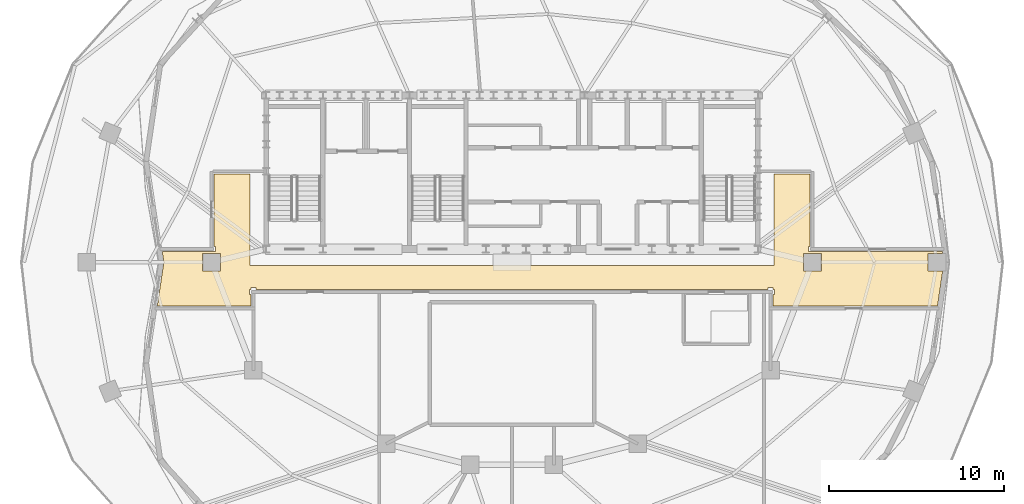
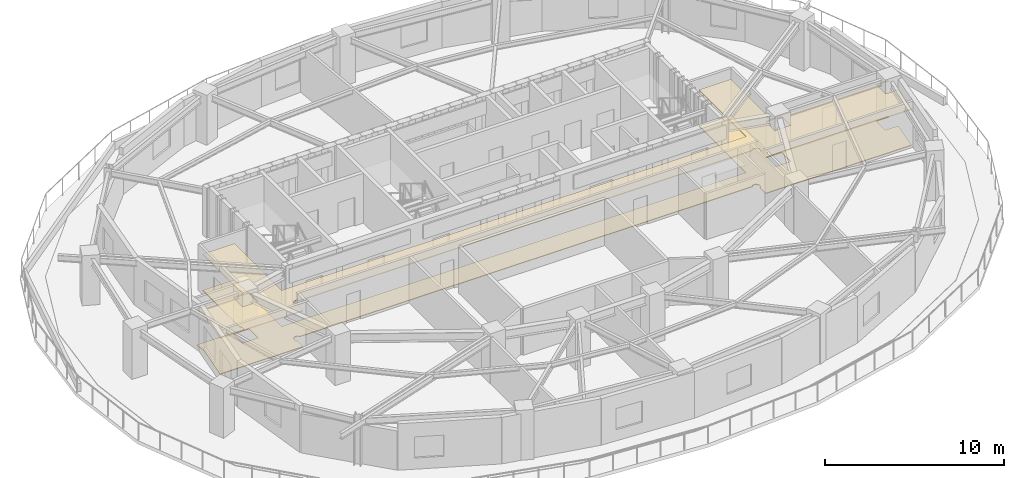
# One storey, part 9 of 10: 2 coverings.
"""IFC4 building model written with IfcOpenShell, lengths in metres."""

import ifcopenshell
import ifcopenshell.guid

model = None  # the IFC model being written
_history = None  # IfcOwnerHistory: only IFC2X3 demands one
_inside = {}  # id of a spatial element -> (the spatial element, [elements in it])
_under = {}  # id of a project, library or spatial element -> (it, [spatial elements below it])
_declared = {}  # id of a project -> (the project, [libraries it declares])
_typed = {}  # id of a type object -> (the type object, [elements of that type])
_made_of = {}  # id of a material, layer set ... -> (it, [elements and type objects made of it])


def new_model(schema):
    """Start an empty IFC model of exactly this schema.

    Asked for "IFC4X3", IfcOpenShell would pick the latest addendum, in which some entities
    have other attributes; the version numbers below select the first issue.
    IFC2X3 requires an IfcOwnerHistory on every rooted entity: one is made here for all.
    """
    global model, _history
    if schema == "IFC4X3":
        model = ifcopenshell.file(schema_version=(4, 3, 0, 0))
    else:
        model = ifcopenshell.file(schema=schema)
    _inside.clear()
    _under.clear()
    _declared.clear()
    _typed.clear()
    _made_of.clear()
    _history = None
    if model.schema == "IFC2X3":
        org = make("IfcOrganization", Name="unknown")
        user = make(
            "IfcPersonAndOrganization",
            ThePerson=make("IfcPerson", FamilyName="unknown"),
            TheOrganization=org,
        )
        app = make(
            "IfcApplication",
            ApplicationDeveloper=org,
            Version="unknown",
            ApplicationFullName="unknown",
            ApplicationIdentifier="unknown",
        )
        _history = make(
            "IfcOwnerHistory",
            OwningUser=user,
            OwningApplication=app,
            ChangeAction="ADDED",
            CreationDate=0,
        )
    return model


def make(cls, **values):
    """One entity of the class cls with the attributes given. An attribute that is None is left unset."""
    return model.create_entity(
        cls, **{name: value for name, value in values.items() if value is not None}
    )


def rooted(cls, **values):
    """An entity with a GlobalId (a new one), such as an element, a storey or a relation."""
    return make(cls, GlobalId=ifcopenshell.guid.new(), OwnerHistory=_history, **values)


def si_unit(unit_type, name, prefix=None):
    """IfcSIUnit, for example si_unit("LENGTHUNIT", "METRE", prefix="MILLI")."""
    return make("IfcSIUnit", UnitType=unit_type, Prefix=prefix, Name=name)


def assignment(units):
    """IfcUnitAssignment: the units of a project."""
    return None if units is None else make("IfcUnitAssignment", Units=units)


def point(xyz):
    """IfcCartesianPoint."""
    return None if xyz is None else make("IfcCartesianPoint", Coordinates=xyz)


def direction(xyz):
    """IfcDirection."""
    return None if xyz is None else make("IfcDirection", DirectionRatios=xyz)


def frame(location, z_axis=None, x_axis=None):
    """IfcAxis2Placement3D, a coordinate frame: its origin and axes. An axis left out is left unset."""
    return make(
        "IfcAxis2Placement3D",
        Location=point(location),
        Axis=direction(z_axis),
        RefDirection=direction(x_axis),
    )


def origin():
    """The frame at (0, 0, 0) with its axes left unset."""
    return frame((0.0, 0.0, 0.0))


def place(relative_to, where):
    """IfcLocalPlacement: puts the frame where relative to a parent placement (None: the world)."""
    return make(
        "IfcLocalPlacement", PlacementRelTo=relative_to, RelativePlacement=where
    )


def context(
    kind, dimensions, precision=None, world=None, true_north=None, identifier=None
):
    """IfcGeometricRepresentationContext, for example the 3D "Model" context."""
    return make(
        "IfcGeometricRepresentationContext",
        ContextIdentifier=identifier,
        ContextType=kind,
        CoordinateSpaceDimension=dimensions,
        Precision=precision,
        WorldCoordinateSystem=world,
        TrueNorth=true_north,
    )


def subcontext(parent, identifier, kind, view, scale=None):
    """IfcGeometricRepresentationSubContext, for example "Body" below "Model"."""
    return make(
        "IfcGeometricRepresentationSubContext",
        ContextIdentifier=identifier,
        ContextType=kind,
        ParentContext=parent,
        TargetScale=scale,
        TargetView=view,
    )


def project(units=None, contexts=None):
    """IfcProject with its units and contexts."""
    return rooted(
        "IfcProject",
        Name="project",
        RepresentationContexts=contexts,
        UnitsInContext=assignment(units),
    )


def spatial(cls, under=None, at=None, **own):
    """A site, building, storey or space (cls), placed at a placement, below another one or the project."""
    s = rooted(cls, ObjectPlacement=at, **own)
    if under is not None:
        _under.setdefault(under.id(), (under, []))[1].append(s)
    return s


def polyline(points):
    """IfcPolyline through the points."""
    return make("IfcPolyline", Points=[point(p) for p in points])


def outline(outer, holes=None, kind="AREA"):
    """IfcArbitraryClosedProfileDef: a profile drawn as a closed curve; with holes, ...WithVoids."""
    if holes is None:
        return make("IfcArbitraryClosedProfileDef", ProfileType=kind, OuterCurve=outer)
    return make(
        "IfcArbitraryProfileDefWithVoids",
        ProfileType=kind,
        OuterCurve=outer,
        InnerCurves=holes,
    )


def extrude(swept, where, along, depth):
    """IfcExtrudedAreaSolid: the profile swept, set in the frame where, extruded along a direction by depth."""
    return make(
        "IfcExtrudedAreaSolid",
        SweptArea=swept,
        Position=where,
        ExtrudedDirection=direction(along),
        Depth=depth,
    )


def shape(context_of_items, identifier, shape_type, items):
    """IfcShapeRepresentation: the items that make up one representation, for example the "Body"."""
    return make(
        "IfcShapeRepresentation",
        ContextOfItems=context_of_items,
        RepresentationIdentifier=identifier,
        RepresentationType=shape_type,
        Items=items,
    )


def material(Name=None, Category=None):
    """IfcMaterial."""
    return make("IfcMaterial", Name=Name, Category=Category)


def layer(
    of_material, thickness, ventilated=None, Name=None, Category=None, Priority=None
):
    """IfcMaterialLayer: one layer of a wall or slab, of a material (None: an air gap)."""
    return make(
        "IfcMaterialLayer",
        Material=of_material,
        LayerThickness=thickness,
        IsVentilated=ventilated,
        Name=Name,
        Category=Category,
        Priority=Priority,
    )


def layer_set(layers, Name=None):
    """IfcMaterialLayerSet."""
    return make("IfcMaterialLayerSet", MaterialLayers=layers, LayerSetName=Name)


def made_of(thing, what):
    """Note that an element or type object is made of a material, layer set ...; save() writes the relation."""
    if what is not None:
        _made_of.setdefault(what.id(), (what, []))[1].append(thing)
    return thing


def type_object(cls, material=None, **own):
    """A type object (cls), such as IfcWallType, which elements share."""
    return made_of(rooted(cls, **own), material)


def element(
    cls,
    number,
    at=None,
    inside=None,
    cuts=None,
    type_object=None,
    material=None,
    context=None,
    identifier="Body",
    shape_type=None,
    held_by="IfcProductDefinitionShape",
    body=None,
    shapes=None,
    **own,
):
    """One element of the class cls, such as IfcWall. Its Tag is "e" and its number.

    at: its placement. inside: the storey or other place that contains it. cuts: it is an
    opening in that element (IfcRelVoidsElement). A single representation is given by context,
    identifier, shape_type and body (its items); several are given by shapes. held_by: the class
    of the entity that holds the representations. save() writes the other relations.
    """
    e = rooted(cls, Tag="e%d" % number, ObjectPlacement=at, **own)
    if body is not None:
        shapes = [shape(context, identifier, shape_type, body)]
    if shapes is not None:
        e.Representation = make(held_by, Representations=shapes)
    if inside is not None:
        _inside.setdefault(inside.id(), (inside, []))[1].append(e)
    if cuts is not None:
        rooted(
            "IfcRelVoidsElement", RelatingBuildingElement=cuts, RelatedOpeningElement=e
        )
    if type_object is not None:
        _typed.setdefault(type_object.id(), (type_object, []))[1].append(e)
    return made_of(e, material)


def aggregate(whole, parts):
    """IfcRelAggregates: a whole, such as a stair, and the parts it consists of."""
    return rooted("IfcRelAggregates", RelatingObject=whole, RelatedObjects=parts)


def save(model, path):
    """Write the relations noted so far, then the file.

    IfcRelAggregates (storeys below a building ...), IfcRelContainedInSpatialStructure (elements
    in a storey), IfcRelDefinesByType, IfcRelAssociatesMaterial and IfcRelDeclares: one each for
    every whole, place, type object, material and project.
    """
    for whole, parts in _under.values():
        aggregate(whole, parts)
    for where, things in _inside.values():
        rooted(
            "IfcRelContainedInSpatialStructure",
            RelatedElements=things,
            RelatingStructure=where,
        )
    for kind, things in _typed.values():
        rooted("IfcRelDefinesByType", RelatedObjects=things, RelatingType=kind)
    for what, things in _made_of.values():
        rooted("IfcRelAssociatesMaterial", RelatedObjects=things, RelatingMaterial=what)
    for by, libraries in _declared.values():
        rooted("IfcRelDeclares", RelatingContext=by, RelatedDefinitions=libraries)
    model.write(path)


model = new_model("IFC4")

# Units and contexts
model_context = context("Model", 3, precision=1e-05, world=origin(), true_north=direction((0.0, 1.0)))
body_context = subcontext(model_context, "Body", "Model", "MODEL_VIEW")
ifc_project = project(units=[si_unit("LENGTHUNIT", "METRE"), si_unit("AREAUNIT", "SQUARE_METRE"), si_unit("VOLUMEUNIT", "CUBIC_METRE"), si_unit("PLANEANGLEUNIT", "RADIAN"), si_unit("MASSUNIT", "GRAM", prefix="KILO")], contexts=[model_context])

# Site, building, storey
site_placement = place(None, origin())
site = spatial("IfcSite", under=ifc_project, at=site_placement, CompositionType="ELEMENT")
building_placement = place(site_placement, origin())
building = spatial("IfcBuilding", under=site, at=building_placement, Name="Haldorwick Loom Tower", CompositionType="ELEMENT")
storey_placement = place(building_placement, frame((0.0, 0.0, 240.89990234375)))
storey = spatial("IfcBuildingStorey", under=building, at=storey_placement, Name="L65", CompositionType="ELEMENT", Elevation=240.89990234375)

# Coverings
ifc_material_1 = material(Name="Mineral Fibre Acoustic Ceiling Tile")
ifc_layer_1 = layer(ifc_material_1, 0.054931640625, Name="Mineral Fibre Acoustic Ceiling Tile")
ifc_layer_set_1 = layer_set([ifc_layer_1], Name="Mineral Fibre Acoustic Ceiling Tile")
covering_type_1 = type_object("IfcCoveringType", Name="ARC-COV-CEIL2", PredefinedType="CEILING", material=ifc_layer_set_1)
covering_1_placement = place(storey_placement, frame((0.0, 0.0, 2.458984375)))
element("IfcCovering", 1, at=covering_1_placement, inside=storey, type_object=covering_type_1, Name="L65 Acoustic Suspended Ceiling 1", PredefinedType="CEILING", context=body_context, shape_type="SweptSolid", body=[
    extrude(outline(polyline([(15.6923828125, 23.489990234375), (21.06005859375, 23.489990234375), (21.06005859375, 24.159912109375), (20.97998046875, 24.159912109375), (20.97802734375, 24.16015625), (20.97607421875, 24.160400390625), (20.97412109375, 24.160888671875), (20.972412109375, 24.16162109375), (20.970703125, 24.162353515625), (20.968994140625, 24.163330078125), (20.96728515625, 24.16455078125), (20.9658203125, 24.166015625), (20.964599609375, 24.167236328125), (20.96337890625, 24.1689453125), (20.96240234375, 24.170654296875), (20.96142578125, 24.17236328125), (20.9609375, 24.17431640625), (20.96044921875, 24.176025390625), (20.960205078125, 24.177978515625), (20.9599609375, 24.179931640625), (20.9599609375, 24.419921875), (20.960205078125, 24.422119140625), (20.96044921875, 24.423828125), (20.9609375, 24.42578125), (20.96142578125, 24.427734375), (20.96240234375, 24.429443359375), (20.96337890625, 24.43115234375), (20.964599609375, 24.4326171875), (20.9658203125, 24.43408203125), (20.96728515625, 24.435546875), (20.968994140625, 24.4365234375), (20.970703125, 24.4375), (20.972412109375, 24.4384765625), (20.97412109375, 24.439208984375), (20.97607421875, 24.439697265625), (20.97802734375, 24.43994140625), (20.97998046875, 24.43994140625), (21.06005859375, 24.43994140625), (21.06005859375, 24.52001953125), (21.06005859375, 24.52197265625), (21.060302734375, 24.52392578125), (21.060791015625, 24.52587890625), (21.0615234375, 24.527587890625), (21.0625, 24.529296875), (21.0634765625, 24.531005859375), (21.064453125, 24.53271484375), (21.06591796875, 24.5341796875), (21.0673828125, 24.535400390625), (21.06884765625, 24.53662109375), (21.070556640625, 24.53759765625), (21.072265625, 24.53857421875), (21.07421875, 24.5390625), (21.076171875, 24.53955078125), (21.077880859375, 24.539794921875), (21.080078125, 24.5400390625), (21.320068359375, 24.5400390625), (21.322021484375, 24.539794921875), (21.323974609375, 24.53955078125), (21.32568359375, 24.5390625), (21.32763671875, 24.53857421875), (21.329345703125, 24.53759765625), (21.3310546875, 24.53662109375), (21.332763671875, 24.535400390625), (21.333984375, 24.5341796875), (21.33544921875, 24.53271484375), (21.336669921875, 24.531005859375), (21.337646484375, 24.529296875), (21.33837890625, 24.527587890625), (21.339111328125, 24.52587890625), (21.339599609375, 24.52392578125), (21.33984375, 24.52197265625), (21.340087890625, 24.52001953125), (21.340087890625, 24.43994140625), (50.659912109375, 24.43994140625), (50.659912109375, 24.52001953125), (50.66015625, 24.52197265625), (50.660400390625, 24.52392578125), (50.660888671875, 24.52587890625), (50.66162109375, 24.527587890625), (50.662353515625, 24.529296875), (50.663330078125, 24.531005859375), (50.66455078125, 24.53271484375), (50.666015625, 24.5341796875), (50.667236328125, 24.535400390625), (50.6689453125, 24.53662109375), (50.670654296875, 24.53759765625), (50.67236328125, 24.53857421875), (50.67431640625, 24.5390625), (50.676025390625, 24.53955078125), (50.677978515625, 24.539794921875), (50.679931640625, 24.5400390625), (50.919921875, 24.5400390625), (50.922119140625, 24.539794921875), (50.923828125, 24.53955078125), (50.92578125, 24.5390625), (50.927734375, 24.53857421875), (50.929443359375, 24.53759765625), (50.93115234375, 24.53662109375), (50.9326171875, 24.535400390625), (50.93408203125, 24.5341796875), (50.935546875, 24.53271484375), (50.9365234375, 24.531005859375), (50.9375, 24.529296875), (50.9384765625, 24.527587890625), (50.939208984375, 24.52587890625), (50.939697265625, 24.52392578125), (50.93994140625, 24.52197265625), (50.93994140625, 24.52001953125), (50.93994140625, 24.43994140625), (51.02001953125, 24.43994140625), (51.02197265625, 24.43994140625), (51.02392578125, 24.439697265625), (51.02587890625, 24.439208984375), (51.027587890625, 24.4384765625), (51.029296875, 24.4375), (51.031005859375, 24.4365234375), (51.03271484375, 24.435546875), (51.0341796875, 24.43408203125), (51.035400390625, 24.4326171875), (51.03662109375, 24.43115234375), (51.03759765625, 24.429443359375), (51.03857421875, 24.427734375), (51.0390625, 24.42578125), (51.03955078125, 24.423828125), (51.039794921875, 24.422119140625), (51.0400390625, 24.419921875), (51.0400390625, 24.179931640625), (51.039794921875, 24.177978515625), (51.03955078125, 24.176025390625), (51.0390625, 24.17431640625), (51.03857421875, 24.17236328125), (51.03759765625, 24.170654296875), (51.03662109375, 24.1689453125), (51.035400390625, 24.167236328125), (51.0341796875, 24.166015625), (51.03271484375, 24.16455078125), (51.031005859375, 24.163330078125), (51.029296875, 24.162353515625), (51.027587890625, 24.16162109375), (51.02587890625, 24.160888671875), (51.02392578125, 24.160400390625), (51.02197265625, 24.16015625), (51.02001953125, 24.159912109375), (50.93994140625, 24.159912109375), (50.93994140625, 23.489990234375), (60.357421875, 23.489990234375), (60.65478515625, 25.491943359375), (59.828857421875, 25.491943359375), (59.828857421875, 26.508056640625), (60.65478515625, 26.508056640625), (60.6396484375, 26.610107421875), (52.97998046875, 26.610107421875), (52.97802734375, 26.610107421875), (52.97607421875, 26.6103515625), (52.97412109375, 26.61083984375), (52.972412109375, 26.611572265625), (52.970703125, 26.6123046875), (52.968994140625, 26.61328125), (52.96728515625, 26.614501953125), (52.9658203125, 26.615966796875), (52.964599609375, 26.6171875), (52.96337890625, 26.618896484375), (52.96240234375, 26.62060546875), (52.96142578125, 26.622314453125), (52.9609375, 26.624267578125), (52.96044921875, 26.626220703125), (52.960205078125, 26.6279296875), (52.9599609375, 26.6298828125), (52.9599609375, 26.8701171875), (52.960205078125, 26.8720703125), (52.96044921875, 26.873779296875), (52.9609375, 26.875732421875), (52.96142578125, 26.877685546875), (52.96240234375, 26.87939453125), (52.96337890625, 26.881103515625), (52.964599609375, 26.8828125), (52.9658203125, 26.884033203125), (52.96728515625, 26.885498046875), (52.968994140625, 26.88671875), (52.970703125, 26.8876953125), (52.972412109375, 26.888427734375), (52.97412109375, 26.88916015625), (52.97607421875, 26.8896484375), (52.97802734375, 26.889892578125), (52.97998046875, 26.889892578125), (53.06005859375, 26.889892578125), (53.06005859375, 31.06005859375), (51.0, 31.06005859375), (51.0, 25.800048828125), (21.0, 25.800048828125), (21.0, 31.06005859375), (18.93994140625, 31.06005859375), (18.93994140625, 26.889892578125), (19.02001953125, 26.889892578125), (19.02197265625, 26.889892578125), (19.02392578125, 26.8896484375), (19.02587890625, 26.88916015625), (19.027587890625, 26.888427734375), (19.029296875, 26.8876953125), (19.031005859375, 26.88671875), (19.03271484375, 26.885498046875), (19.0341796875, 26.884033203125), (19.035400390625, 26.8828125), (19.03662109375, 26.881103515625), (19.03759765625, 26.87939453125), (19.03857421875, 26.877685546875), (19.0390625, 26.875732421875), (19.03955078125, 26.873779296875), (19.039794921875, 26.8720703125), (19.0400390625, 26.8701171875), (19.0400390625, 26.6298828125), (19.039794921875, 26.6279296875), (19.03955078125, 26.626220703125), (19.0390625, 26.624267578125), (19.03857421875, 26.622314453125), (19.03759765625, 26.62060546875), (19.03662109375, 26.618896484375), (19.035400390625, 26.6171875), (19.0341796875, 26.615966796875), (19.03271484375, 26.614501953125), (19.031005859375, 26.61328125), (19.029296875, 26.6123046875), (19.027587890625, 26.611572265625), (19.02587890625, 26.61083984375), (19.02392578125, 26.6103515625), (19.02197265625, 26.610107421875), (19.02001953125, 26.610107421875), (15.97802734375, 26.610107421875), (16.0693359375, 26.0029296875), (16.069580078125, 26.0009765625), (16.069580078125, 25.9990234375), (16.0693359375, 25.9970703125), (15.6923828125, 23.489990234375)]), holes=[polyline([(19.30810546875, 26.508056640625), (19.30810546875, 25.491943359375), (18.2919921875, 25.491943359375), (18.2919921875, 26.508056640625), (19.30810546875, 26.508056640625)]), polyline([(53.7080078125, 26.508056640625), (53.7080078125, 25.491943359375), (52.69189453125, 25.491943359375), (52.69189453125, 26.508056640625), (53.7080078125, 26.508056640625)])]), origin(), (0.0, 0.0, 1.0), 0.05517578125),
])
ifc_material_2 = material(Name="Polished Aggregate Terrazzo Finish")
ifc_layer_2 = layer(ifc_material_2, 0.044921875, Name="Polished Aggregate Terrazzo Finish")
ifc_layer_set_2 = layer_set([ifc_layer_2], Name="Polished Aggregate Terrazzo Finish")
covering_type_2 = type_object("IfcCoveringType", Name="ARC-COV-FLOOR2", PredefinedType="FLOORING", material=ifc_layer_set_2)
covering_2_placement = place(storey_placement, origin())
element("IfcCovering", 2, at=covering_2_placement, inside=storey, type_object=covering_type_2, Name="L65 Floor Finish 1", PredefinedType="FLOORING", context=body_context, shape_type="SweptSolid", body=[
    extrude(outline(polyline([(15.6923828125, 23.489990234375), (21.06005859375, 23.489990234375), (21.06005859375, 24.159912109375), (20.97998046875, 24.159912109375), (20.97802734375, 24.16015625), (20.97607421875, 24.160400390625), (20.97412109375, 24.160888671875), (20.972412109375, 24.16162109375), (20.970703125, 24.162353515625), (20.968994140625, 24.163330078125), (20.96728515625, 24.16455078125), (20.9658203125, 24.166015625), (20.964599609375, 24.167236328125), (20.96337890625, 24.1689453125), (20.96240234375, 24.170654296875), (20.96142578125, 24.17236328125), (20.9609375, 24.17431640625), (20.96044921875, 24.176025390625), (20.960205078125, 24.177978515625), (20.9599609375, 24.179931640625), (20.9599609375, 24.419921875), (20.960205078125, 24.422119140625), (20.96044921875, 24.423828125), (20.9609375, 24.42578125), (20.96142578125, 24.427734375), (20.96240234375, 24.429443359375), (20.96337890625, 24.43115234375), (20.964599609375, 24.4326171875), (20.9658203125, 24.43408203125), (20.96728515625, 24.435546875), (20.968994140625, 24.4365234375), (20.970703125, 24.4375), (20.972412109375, 24.4384765625), (20.97412109375, 24.439208984375), (20.97607421875, 24.439697265625), (20.97802734375, 24.43994140625), (20.97998046875, 24.43994140625), (21.06005859375, 24.43994140625), (21.06005859375, 24.52001953125), (21.06005859375, 24.52197265625), (21.060302734375, 24.52392578125), (21.060791015625, 24.52587890625), (21.0615234375, 24.527587890625), (21.0625, 24.529296875), (21.0634765625, 24.531005859375), (21.064453125, 24.53271484375), (21.06591796875, 24.5341796875), (21.0673828125, 24.535400390625), (21.06884765625, 24.53662109375), (21.070556640625, 24.53759765625), (21.072265625, 24.53857421875), (21.07421875, 24.5390625), (21.076171875, 24.53955078125), (21.077880859375, 24.539794921875), (21.080078125, 24.5400390625), (21.320068359375, 24.5400390625), (21.322021484375, 24.539794921875), (21.323974609375, 24.53955078125), (21.32568359375, 24.5390625), (21.32763671875, 24.53857421875), (21.329345703125, 24.53759765625), (21.3310546875, 24.53662109375), (21.332763671875, 24.535400390625), (21.333984375, 24.5341796875), (21.33544921875, 24.53271484375), (21.336669921875, 24.531005859375), (21.337646484375, 24.529296875), (21.33837890625, 24.527587890625), (21.339111328125, 24.52587890625), (21.339599609375, 24.52392578125), (21.33984375, 24.52197265625), (21.340087890625, 24.52001953125), (21.340087890625, 24.43994140625), (50.659912109375, 24.43994140625), (50.659912109375, 24.52001953125), (50.66015625, 24.52197265625), (50.660400390625, 24.52392578125), (50.660888671875, 24.52587890625), (50.66162109375, 24.527587890625), (50.662353515625, 24.529296875), (50.663330078125, 24.531005859375), (50.66455078125, 24.53271484375), (50.666015625, 24.5341796875), (50.667236328125, 24.535400390625), (50.6689453125, 24.53662109375), (50.670654296875, 24.53759765625), (50.67236328125, 24.53857421875), (50.67431640625, 24.5390625), (50.676025390625, 24.53955078125), (50.677978515625, 24.539794921875), (50.679931640625, 24.5400390625), (50.919921875, 24.5400390625), (50.922119140625, 24.539794921875), (50.923828125, 24.53955078125), (50.92578125, 24.5390625), (50.927734375, 24.53857421875), (50.929443359375, 24.53759765625), (50.93115234375, 24.53662109375), (50.9326171875, 24.535400390625), (50.93408203125, 24.5341796875), (50.935546875, 24.53271484375), (50.9365234375, 24.531005859375), (50.9375, 24.529296875), (50.9384765625, 24.527587890625), (50.939208984375, 24.52587890625), (50.939697265625, 24.52392578125), (50.93994140625, 24.52197265625), (50.93994140625, 24.52001953125), (50.93994140625, 24.43994140625), (51.02001953125, 24.43994140625), (51.02197265625, 24.43994140625), (51.02392578125, 24.439697265625), (51.02587890625, 24.439208984375), (51.027587890625, 24.4384765625), (51.029296875, 24.4375), (51.031005859375, 24.4365234375), (51.03271484375, 24.435546875), (51.0341796875, 24.43408203125), (51.035400390625, 24.4326171875), (51.03662109375, 24.43115234375), (51.03759765625, 24.429443359375), (51.03857421875, 24.427734375), (51.0390625, 24.42578125), (51.03955078125, 24.423828125), (51.039794921875, 24.422119140625), (51.0400390625, 24.419921875), (51.0400390625, 24.179931640625), (51.039794921875, 24.177978515625), (51.03955078125, 24.176025390625), (51.0390625, 24.17431640625), (51.03857421875, 24.17236328125), (51.03759765625, 24.170654296875), (51.03662109375, 24.1689453125), (51.035400390625, 24.167236328125), (51.0341796875, 24.166015625), (51.03271484375, 24.16455078125), (51.031005859375, 24.163330078125), (51.029296875, 24.162353515625), (51.027587890625, 24.16162109375), (51.02587890625, 24.160888671875), (51.02392578125, 24.160400390625), (51.02197265625, 24.16015625), (51.02001953125, 24.159912109375), (50.93994140625, 24.159912109375), (50.93994140625, 23.489990234375), (60.357421875, 23.489990234375), (60.65478515625, 25.491943359375), (59.828857421875, 25.491943359375), (59.828857421875, 26.508056640625), (60.65478515625, 26.508056640625), (60.6396484375, 26.610107421875), (52.97998046875, 26.610107421875), (52.97802734375, 26.610107421875), (52.97607421875, 26.6103515625), (52.97412109375, 26.61083984375), (52.972412109375, 26.611572265625), (52.970703125, 26.6123046875), (52.968994140625, 26.61328125), (52.96728515625, 26.614501953125), (52.9658203125, 26.615966796875), (52.964599609375, 26.6171875), (52.96337890625, 26.618896484375), (52.96240234375, 26.62060546875), (52.96142578125, 26.622314453125), (52.9609375, 26.624267578125), (52.96044921875, 26.626220703125), (52.960205078125, 26.6279296875), (52.9599609375, 26.6298828125), (52.9599609375, 26.8701171875), (52.960205078125, 26.8720703125), (52.96044921875, 26.873779296875), (52.9609375, 26.875732421875), (52.96142578125, 26.877685546875), (52.96240234375, 26.87939453125), (52.96337890625, 26.881103515625), (52.964599609375, 26.8828125), (52.9658203125, 26.884033203125), (52.96728515625, 26.885498046875), (52.968994140625, 26.88671875), (52.970703125, 26.8876953125), (52.972412109375, 26.888427734375), (52.97412109375, 26.88916015625), (52.97607421875, 26.8896484375), (52.97802734375, 26.889892578125), (52.97998046875, 26.889892578125), (53.06005859375, 26.889892578125), (53.06005859375, 31.06005859375), (51.0, 31.06005859375), (51.0, 25.800048828125), (21.0, 25.800048828125), (21.0, 31.06005859375), (18.93994140625, 31.06005859375), (18.93994140625, 26.889892578125), (19.02001953125, 26.889892578125), (19.02197265625, 26.889892578125), (19.02392578125, 26.8896484375), (19.02587890625, 26.88916015625), (19.027587890625, 26.888427734375), (19.029296875, 26.8876953125), (19.031005859375, 26.88671875), (19.03271484375, 26.885498046875), (19.0341796875, 26.884033203125), (19.035400390625, 26.8828125), (19.03662109375, 26.881103515625), (19.03759765625, 26.87939453125), (19.03857421875, 26.877685546875), (19.0390625, 26.875732421875), (19.03955078125, 26.873779296875), (19.039794921875, 26.8720703125), (19.0400390625, 26.8701171875), (19.0400390625, 26.6298828125), (19.039794921875, 26.6279296875), (19.03955078125, 26.626220703125), (19.0390625, 26.624267578125), (19.03857421875, 26.622314453125), (19.03759765625, 26.62060546875), (19.03662109375, 26.618896484375), (19.035400390625, 26.6171875), (19.0341796875, 26.615966796875), (19.03271484375, 26.614501953125), (19.031005859375, 26.61328125), (19.029296875, 26.6123046875), (19.027587890625, 26.611572265625), (19.02587890625, 26.61083984375), (19.02392578125, 26.6103515625), (19.02197265625, 26.610107421875), (19.02001953125, 26.610107421875), (15.97802734375, 26.610107421875), (16.0693359375, 26.0029296875), (16.069580078125, 26.0009765625), (16.069580078125, 25.9990234375), (16.0693359375, 25.9970703125), (15.6923828125, 23.489990234375)]), holes=[polyline([(19.30810546875, 26.508056640625), (19.30810546875, 25.491943359375), (18.2919921875, 25.491943359375), (18.2919921875, 26.508056640625), (19.30810546875, 26.508056640625)]), polyline([(53.7080078125, 26.508056640625), (53.7080078125, 25.491943359375), (52.69189453125, 25.491943359375), (52.69189453125, 26.508056640625), (53.7080078125, 26.508056640625)])]), origin(), (0.0, 0.0, 1.0), 0.045166015625),
])

save(model, "model.ifc")
